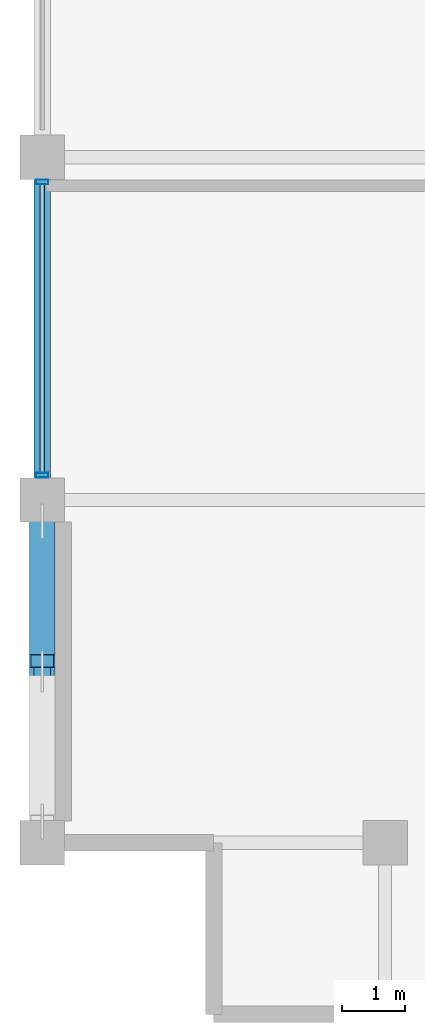
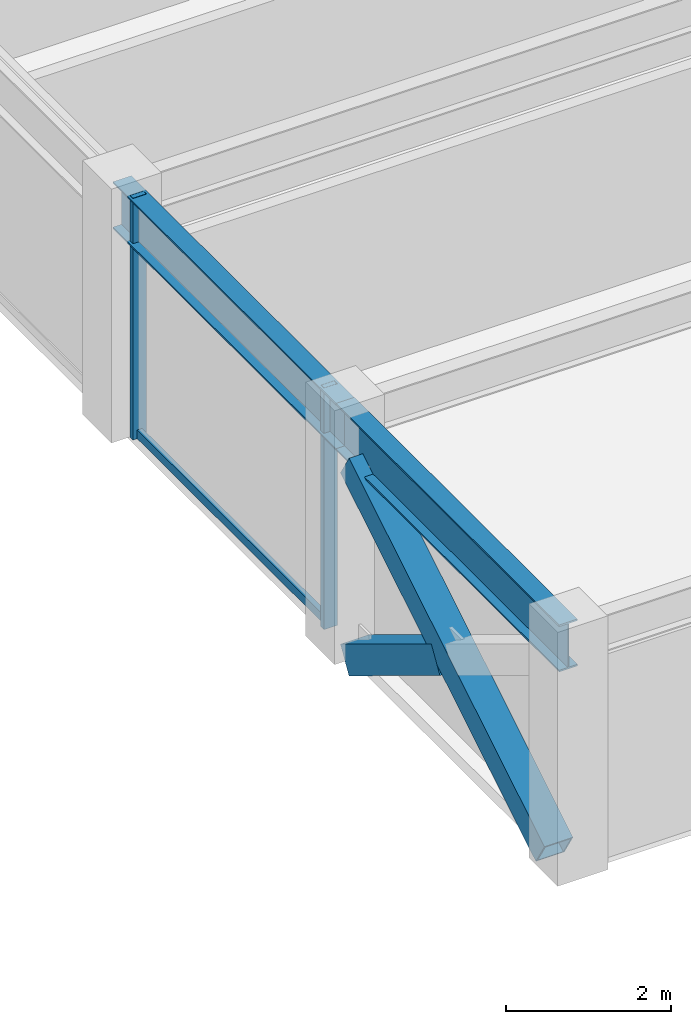
# One storey, part 4 of 30: 5 members, 2 beams, 1 element without a shape of its own.
"""IFC4 building model written with IfcOpenShell, lengths in metres."""

from ifc_helpers import new_model, si_unit, direction, frame, origin, origin_2d, place, context, subcontext, project, spatial, hollow_rectangle, i_section, extrude, material, layer, layer_set, material_profile, profile_set, type_object, element, aggregate, save


model = new_model("IFC4")

# Units and contexts
model_context = context("Model", 3, precision=1e-05, world=origin(), true_north=direction((0.0, 1.0)))
body_context = subcontext(model_context, "Body", "Model", "MODEL_VIEW")
ifc_project = project(units=[si_unit("LENGTHUNIT", "METRE"), si_unit("AREAUNIT", "SQUARE_METRE"), si_unit("VOLUMEUNIT", "CUBIC_METRE"), si_unit("PLANEANGLEUNIT", "RADIAN"), si_unit("MASSUNIT", "GRAM", prefix="KILO")], contexts=[model_context])

# Site, building, storey
site_placement = place(None, origin())
site = spatial("IfcSite", under=ifc_project, at=site_placement, CompositionType="ELEMENT")
building_placement = place(site_placement, origin())
building = spatial("IfcBuilding", under=site, at=building_placement, Name="Surkhivell Harbour Commons", CompositionType="ELEMENT")
storey_placement = place(building_placement, frame((0.0, 0.0, 300.0)))
storey = spatial("IfcBuildingStorey", under=building, at=storey_placement, Name="L78", CompositionType="ELEMENT", Elevation=300.0)

# Beams
ifc_material_1 = material(Name="Steel S355", Category="steel")
ifc_material_profile_1 = material_profile(ifc_material_1, i_section(OverallWidth=0.256103515625, OverallDepth=0.693115234375, WebThickness=0.014404296875, FlangeThickness=0.023681640625, at=origin_2d()), Name="UB686x254x170")
ifc_profile_set_1 = profile_set([ifc_material_profile_1], Name="Steel S355")
beam_type = type_object("IfcBeamType", Name="BM-SPN-686", PredefinedType="SPANDREL", material=ifc_profile_set_1)
beam_1_placement = place(storey_placement, frame((-27.0, -16.199951171875, 3.223388671875), z_axis=(0.0, 1.0, 0.0), x_axis=(-1.0, 0.0, 0.0)))
element("IfcBeam", 1, at=beam_1_placement, inside=storey, type_object=beam_type, Name="L78 Tube Spandrel (-27.0,-16.2)", PredefinedType="SPANDREL", context=body_context, shape_type="SweptSolid", body=[
    extrude(i_section(OverallWidth=0.256103515625, OverallDepth=0.693115234375, WebThickness=0.014404296875, FlangeThickness=0.023681640625, at=origin_2d()), origin(), (0.0, 0.0, 1.0), 5.39990234375),
])
beam_2_placement = place(storey_placement, frame((-27.0, -10.800048828125, 3.223388671875), z_axis=(0.0, 1.0, 0.0), x_axis=(-1.0, 0.0, 0.0)))
element("IfcBeam", 2, at=beam_2_placement, inside=storey, type_object=beam_type, Name="L78 Tube Spandrel (-27.0,-10.8)", PredefinedType="SPANDREL", context=body_context, shape_type="SweptSolid", body=[
    extrude(i_section(OverallWidth=0.256103515625, OverallDepth=0.693115234375, WebThickness=0.014404296875, FlangeThickness=0.023681640625, at=origin_2d()), origin(), (0.0, 0.0, 1.0), 5.400146484375),
])

# Curtain wall, members
ifc_material_2 = material(Name="Anodised pale-metal aluminium and insulated glazing", Category="aluminium")
ifc_layer = layer(ifc_material_2, 0.175048828125)
ifc_layer_set = layer_set([ifc_layer], Name="Anodised pale-metal aluminium and insulated glazing")
curtain_wall_type = type_object("IfcCurtainWallType", Name="CW-SYS-Z4", PredefinedType="NOTDEFINED", material=ifc_layer_set)
curtain_wall_placement = place(storey_placement, origin())
curtain_wall = element("IfcCurtainWall", 3, at=curtain_wall_placement, inside=storey, type_object=curtain_wall_type, Name="L78 Curtain Wall CW-L78-E12S1", PredefinedType="NOTDEFINED")
ifc_material_3 = material(Name="Anodised pale-metal aluminium alloy 6063-T6", Category="aluminium")
ifc_material_profile_2 = material_profile(ifc_material_3, hollow_rectangle(XDim=0.074951171875, YDim=0.18994140625, WallThickness=0.00390625, at=origin_2d()), Name="ALU-MULL-75x190")
ifc_profile_set_2 = profile_set([ifc_material_profile_2], Name="Anodised pale-metal aluminium alloy 6063-T6")
member_type_1 = type_object("IfcMemberType", Name="CWM-190", PredefinedType="MULLION", material=ifc_profile_set_2)
member_1_placement = place(storey_placement, frame((-27.0, -5.78955078125, 0.0), z_axis=(0.0, 0.0, 1.0), x_axis=(0.0, -1.0, 0.0)))
member_1 = element("IfcMember", 4, at=member_1_placement, type_object=member_type_1, Name="CW-Z4 mullion 6", PredefinedType="MULLION", context=body_context, shape_type="SweptSolid", body=[
    extrude(hollow_rectangle(XDim=0.074951171875, YDim=0.18994140625, WallThickness=0.00390625, at=origin_2d()), origin(), (0.0, 0.0, 1.0), 3.570068359375),
])
member_2_placement = place(storey_placement, frame((-27.0, -10.410400390625, 0.0), z_axis=(0.0, 0.0, 1.0), x_axis=(0.0, -1.0, 0.0)))
member_2 = element("IfcMember", 5, at=member_2_placement, type_object=member_type_1, Name="CW-Z4 mullion 7", PredefinedType="MULLION", context=body_context, shape_type="SweptSolid", body=[
    extrude(hollow_rectangle(XDim=0.074951171875, YDim=0.18994140625, WallThickness=0.00390625, at=origin_2d()), origin(), (0.0, 0.0, 1.0), 3.570068359375),
])
ifc_material_4 = material(Name="Champagne anodised aluminium alloy 6063-T6", Category="aluminium")
ifc_material_profile_3 = material_profile(ifc_material_4, hollow_rectangle(XDim=0.070068359375, YDim=0.1298828125, WallThickness=0.00341796875, at=origin_2d()), Name="ALU-TRAN-70x130")
ifc_profile_set_3 = profile_set([ifc_material_profile_3], Name="Champagne anodised aluminium alloy 6063-T6")
member_type_2 = type_object("IfcMemberType", Name="CWT-130", PredefinedType="USERDEFINED", material=ifc_profile_set_3)
member_3_placement = place(storey_placement, frame((-27.0, -5.826904296875, 0.06494140625), z_axis=(0.0, -1.0, 0.0), x_axis=(1.0, 0.0, 0.0)))
member_3 = element("IfcMember", 6, at=member_3_placement, type_object=member_type_2, Name="CW-Z4 transom 6.1", ObjectType="TRANSOM", PredefinedType="USERDEFINED", context=body_context, shape_type="SweptSolid", body=[
    extrude(hollow_rectangle(XDim=0.070068359375, YDim=0.1298828125, WallThickness=0.00341796875, at=origin_2d()), origin(), (0.0, 0.0, 1.0), 4.546142578125),
])
aggregate(curtain_wall, [member_1, member_2, member_3])

# Members
ifc_material_5 = material(Name="Steel S460", Category="steel")
ifc_material_profile_4 = material_profile(ifc_material_5, hollow_rectangle(XDim=0.39990234375, YDim=0.39990234375, WallThickness=0.02001953125, at=origin_2d()), Name="SHS400x400x20")
ifc_profile_set_4 = profile_set([ifc_material_profile_4], Name="Steel S460")
member_type_3 = type_object("IfcMemberType", Name="MEM-BRC-SHS400", PredefinedType="BRACE", material=ifc_profile_set_4)
member_4_placement = place(storey_placement, frame((-27.0, -15.864990234375, 0.008056640625), z_axis=(0.0, 0.854685454322, 0.519146197299), x_axis=(-1.0, 0.0, 0.0)))
element("IfcMember", 7, at=member_4_placement, inside=storey, type_object=member_type_3, Name="L78 Perimeter Mega-Brace MB- 10", PredefinedType="BRACE", context=body_context, shape_type="SweptSolid", body=[
    extrude(hollow_rectangle(XDim=0.39990234375, YDim=0.39990234375, WallThickness=0.02001953125, at=origin_2d()), origin(), (0.0, 0.0, 1.0), 5.5341796875),
])
member_5_placement = place(storey_placement, frame((-27.0, -11.135009765625, 0.008056640625), z_axis=(0.0, -0.854719912157, 0.519089464122), x_axis=(1.0, 0.0, 0.0)))
element("IfcMember", 8, at=member_5_placement, inside=storey, type_object=member_type_3, Name="L78 Perimeter Mega-Brace MB- 11", PredefinedType="BRACE", context=body_context, shape_type="SweptSolid", body=[
    extrude(hollow_rectangle(XDim=0.39990234375, YDim=0.39990234375, WallThickness=0.02001953125, at=origin_2d()), origin(), (0.0, 0.0, 1.0), 2.574951171875),
])

save(model, "model.ifc")
